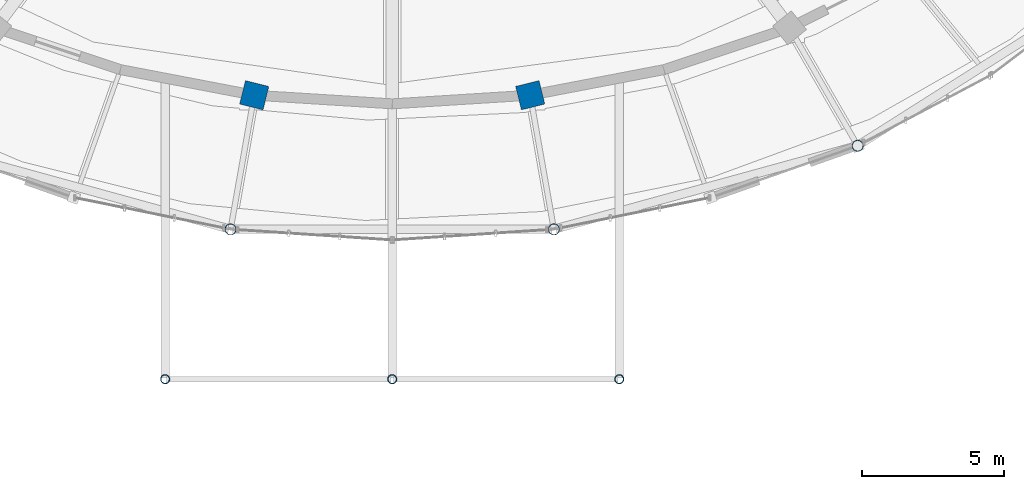
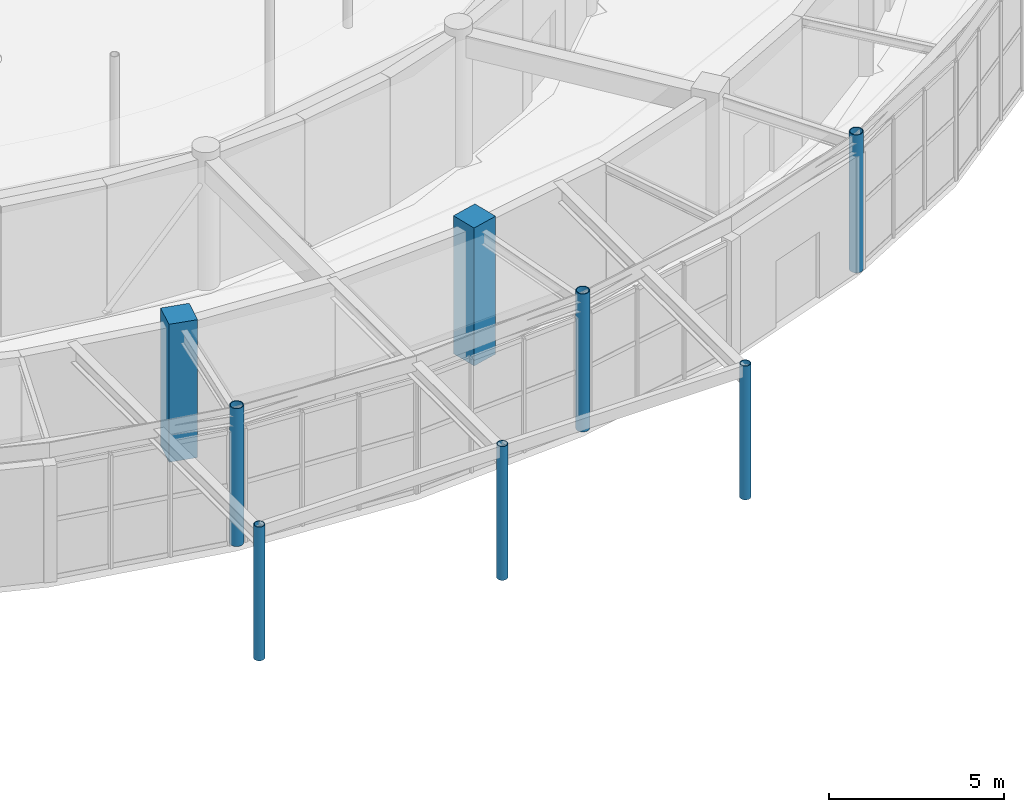
# One storey, part 6 of 108: 8 columns.
"""IFC4 building model written with IfcOpenShell, lengths in metres."""

from ifc_helpers import new_model, si_unit, direction, frame, origin, origin_2d, place, context, subcontext, project, spatial, rectangle, hollow_circle, extrude, material, material_profile, profile_set, type_object, element, save


model = new_model("IFC4")

# Units and contexts
model_context = context("Model", 3, precision=1e-05, world=origin(), true_north=direction((0.0, 1.0)))
body_context = subcontext(model_context, "Body", "Model", "MODEL_VIEW")
ifc_project = project(units=[si_unit("LENGTHUNIT", "METRE"), si_unit("AREAUNIT", "SQUARE_METRE"), si_unit("VOLUMEUNIT", "CUBIC_METRE"), si_unit("PLANEANGLEUNIT", "RADIAN"), si_unit("MASSUNIT", "GRAM", prefix="KILO")], contexts=[model_context])

# Site, building, storey
site_placement = place(None, origin())
site = spatial("IfcSite", under=ifc_project, at=site_placement, CompositionType="ELEMENT")
building_placement = place(site_placement, origin())
building = spatial("IfcBuilding", under=site, at=building_placement, Name="Tarnveldt Headland Concert Hall", CompositionType="ELEMENT")
storey_placement = place(building_placement, origin())
storey = spatial("IfcBuildingStorey", under=building, at=storey_placement, Name="L00", CompositionType="ELEMENT", Elevation=0.0)

# Columns
ifc_material_1 = material(Name="Concrete C40/50", Category="concrete")
ifc_material_profile_1 = material_profile(ifc_material_1, rectangle(XDim=0.85009765625, YDim=0.85009765625, at=origin_2d()), Name="RC 850x850", Category="concrete")
ifc_profile_set_1 = profile_set([ifc_material_profile_1], Name="Concrete C40/50")
column_type_1 = type_object("IfcColumnType", Name="CC-850", PredefinedType="COLUMN", material=ifc_profile_set_1)
for number, where, z_axis, x_axis, name in (
    (1, (78.637939453125, 34.8037109375, 0.0), (0.0, 0.0, 1.0), (-0.239719743609, -0.970842131618, 0.0), "Column V2DC14 L00"),
    (2, (88.362060546875, 34.8037109375, 0.0), (0.0, 0.0, 1.0), (0.239719743609, -0.970842131618, 0.0), "Column V2DC15 L00"),
):
    element("IfcColumn", number, at=place(storey_placement, frame(where, z_axis=z_axis, x_axis=x_axis)), inside=storey, type_object=column_type_1, Name=name, PredefinedType="COLUMN", context=body_context, shape_type="SweptSolid", body=[
        extrude(rectangle(XDim=0.85009765625, YDim=0.85009765625, at=origin_2d()), origin(), (0.0, 0.0, 1.0), 4.800048828125),
    ])
ifc_material_2 = material(Name="Steel S355", Category="steel")
ifc_material_profile_2 = material_profile(ifc_material_2, hollow_circle(Radius=0.161865234375, WallThickness=0.02001953125, at=origin_2d()), Name="CHS 323.9x20", Category="steel")
ifc_profile_set_2 = profile_set([ifc_material_profile_2], Name="Steel S355")
column_type_2 = type_object("IfcColumnType", Name="SC-CHS323", PredefinedType="COLUMN", material=ifc_profile_set_2)
for number, where, z_axis, x_axis, name in (
    (3, (75.5, 24.800048828125, 0.0), (0.0, 0.0, 1.0), (1.0, 0.0, 0.0), "Column V1CAN01 L00"),
    (4, (83.5, 24.800048828125, 0.0), (0.0, 0.0, 1.0), (1.0, 0.0, 0.0), "Column V1CAN02 L00"),
    (5, (91.5, 24.800048828125, 0.0), (0.0, 0.0, 1.0), (1.0, 0.0, 0.0), "Column V1CAN03 L00"),
):
    element("IfcColumn", number, at=place(storey_placement, frame(where, z_axis=z_axis, x_axis=x_axis)), inside=storey, type_object=column_type_2, Name=name, PredefinedType="COLUMN", context=body_context, shape_type="SweptSolid", body=[
        extrude(hollow_circle(Radius=0.161865234375, WallThickness=0.02001953125, at=origin_2d()), origin(), (0.0, 0.0, 1.0), 4.655029296875),
    ])
ifc_material_profile_3 = material_profile(ifc_material_2, hollow_circle(Radius=0.203125, WallThickness=0.02490234375, at=origin_2d()), Name="CHS 406.4x25", Category="steel")
ifc_profile_set_3 = profile_set([ifc_material_profile_3], Name="Steel S355")
column_type_3 = type_object("IfcColumnType", Name="SC-CHS406", PredefinedType="COLUMN", material=ifc_profile_set_3)
for number, where, z_axis, x_axis, name in (
    (6, (77.80419921875, 30.076904296875, 0.0), (0.0, 0.0, 1.0), (-0.227161248969, -0.973857159427, 0.0), "Column V1C14 L00"),
    (7, (89.19580078125, 30.076904296875, 0.0), (0.0, 0.0, 1.0), (0.227161248969, -0.973857159427, 0.0), "Column V1C15 L00"),
    (8, (99.89990234375, 33.022705078125, 0.0), (0.0, 0.0, 1.0), (0.606959801962, -0.79473253287, 0.0), "Column V1C16 L00"),
):
    element("IfcColumn", number, at=place(storey_placement, frame(where, z_axis=z_axis, x_axis=x_axis)), inside=storey, type_object=column_type_3, Name=name, PredefinedType="COLUMN", context=body_context, shape_type="SweptSolid", body=[
        extrude(hollow_circle(Radius=0.203125, WallThickness=0.02490234375, at=origin_2d()), origin(), (0.0, 0.0, 1.0), 4.800048828125),
    ])

save(model, "model.ifc")
